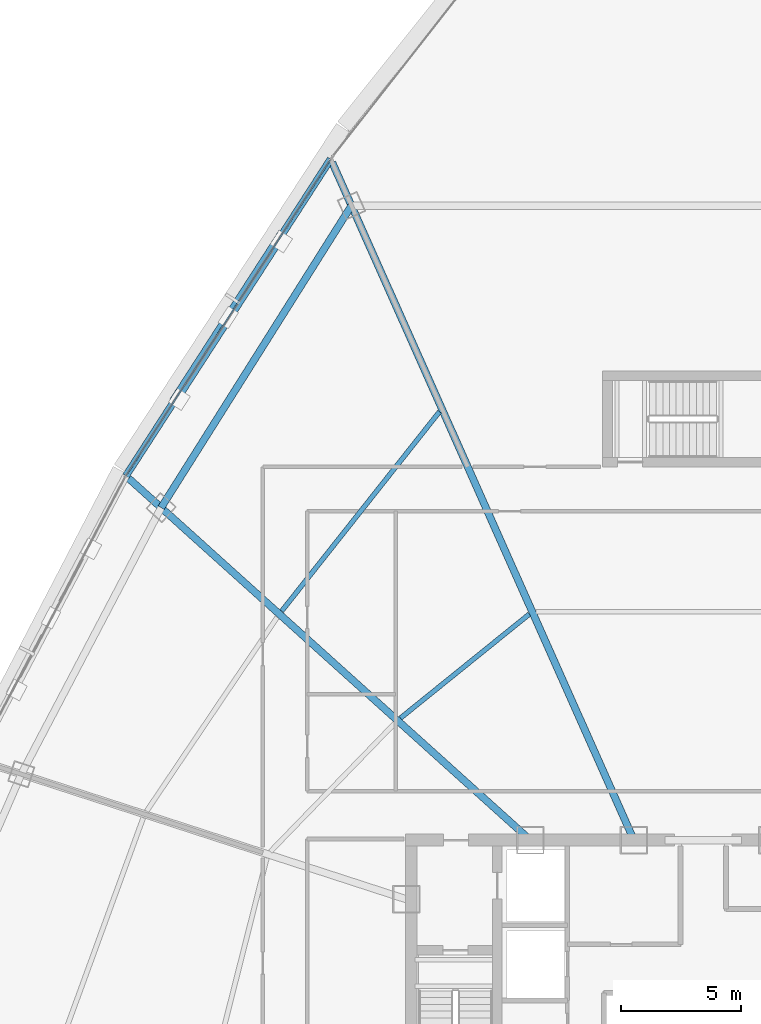
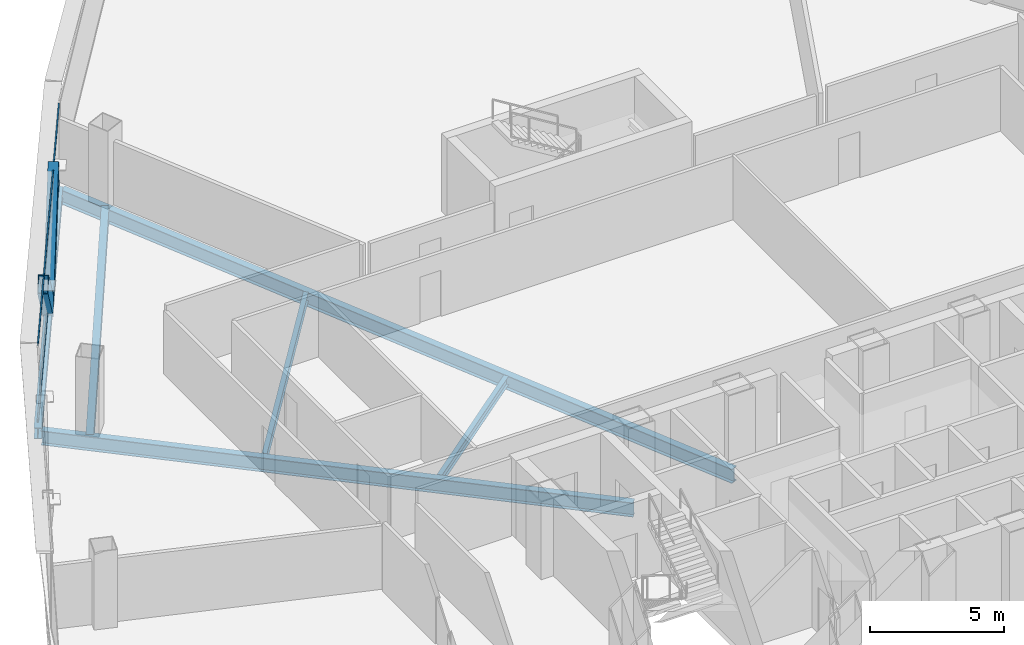
# One storey, part 17 of 37: 6 beams, 4 members, 1 element without a shape of its own.
"""IFC4 building model written with IfcOpenShell, lengths in metres."""

from ifc_helpers import new_model, si_unit, direction, frame, origin, origin_2d, place, context, subcontext, project, spatial, hollow_rectangle, i_section, extrude, source, transform, mapped, material, layer, layer_set, material_profile, profile_set, type_object, element, aggregate, save


model = new_model("IFC4")

# Units and contexts
model_context = context("Model", 3, precision=1e-05, world=origin(), true_north=direction((0.0, 1.0)))
body_context = subcontext(model_context, "Body", "Model", "MODEL_VIEW")
ifc_project = project(units=[si_unit("LENGTHUNIT", "METRE"), si_unit("AREAUNIT", "SQUARE_METRE"), si_unit("VOLUMEUNIT", "CUBIC_METRE"), si_unit("PLANEANGLEUNIT", "RADIAN"), si_unit("MASSUNIT", "GRAM", prefix="KILO"), si_unit("THERMODYNAMICTEMPERATUREUNIT", "KELVIN"), si_unit("POWERUNIT", "WATT")], contexts=[model_context])

# Site, building, storey
site_placement = place(None, origin())
site = spatial("IfcSite", under=ifc_project, at=site_placement, CompositionType="ELEMENT")
building_placement = place(site_placement, origin())
building = spatial("IfcBuilding", under=site, at=building_placement, Name="Yunzhuo Pagoda Commons", CompositionType="ELEMENT")
storey_placement = place(building_placement, frame((0.0, 0.0, 199.9599609375)))
storey = spatial("IfcBuildingStorey", under=building, at=storey_placement, Name="L50", CompositionType="ELEMENT", Elevation=199.9599609375)

# Beams
ifc_material_1 = material(Name="Structural steel Q355B", Category="steel")
ifc_material_profile_1 = material_profile(ifc_material_1, i_section(OverallWidth=0.300048828125, OverallDepth=0.64990234375, WebThickness=0.012939453125, FlangeThickness=0.02197265625, at=origin_2d()), Name="Structural steel Q355B")
ifc_profile_set_1 = profile_set([ifc_material_profile_1], Name="Structural steel Q355B")
beam_type_1 = type_object("IfcBeamType", Name="B-RG2 Beam HN 650x300x13x22", PredefinedType="BEAM", material=ifc_profile_set_1)
shared_shape_1 = source(origin(), body_context, "Body", "SweptSolid", [
    extrude(i_section(OverallWidth=0.300048828125, OverallDepth=0.64990234375, WebThickness=0.012939453125, FlangeThickness=0.02197265625, at=origin_2d()), origin(), (0.0, 0.0, 1.0), 14.916015625),
])
beam_1_placement = place(storey_placement, frame((33.301025390625, 66.714599609375, -0.5849609375), z_axis=(-0.533092374013, -0.846057043449, 0.0), x_axis=(0.846057043449, -0.533092374013, 0.0)))
element("IfcBeam", 1, at=beam_1_placement, inside=storey, type_object=beam_type_1, Name="L50 column-ring beam 9", PredefinedType="BEAM", context=body_context, shape_type="MappedRepresentation", body=[
    mapped(shared_shape_1, transform((0.0, 0.0, 0.0), scale=1.0)),
])
ifc_material_profile_2 = material_profile(ifc_material_1, i_section(OverallWidth=0.199951171875, OverallDepth=0.39990234375, WebThickness=0.008056640625, FlangeThickness=0.012939453125, at=origin_2d()), Name="Structural steel Q355B")
ifc_profile_set_2 = profile_set([ifc_material_profile_2], Name="Structural steel Q355B")
beam_type_2 = type_object("IfcBeamType", Name="B-JS1 Joist HN 400x200x8x13", PredefinedType="JOIST", material=ifc_profile_set_2)
shared_shape_2 = source(origin(), body_context, "Body", "SweptSolid", [
    extrude(i_section(OverallWidth=0.199951171875, OverallDepth=0.39990234375, WebThickness=0.008056640625, FlangeThickness=0.012939453125, at=origin_2d()), origin(), (0.0, 0.0, 1.0), 6.916748046875),
])
beam_2_placement = place(storey_placement, frame((40.732421875, 49.645263671875, -0.4599609375), z_axis=(-0.778265575865, -0.627935262127, 0.0), x_axis=(0.627935262127, -0.778265575865, 0.0)))
element("IfcBeam", 2, at=beam_2_placement, inside=storey, type_object=beam_type_2, Name="L50 composite ring joist 1.9", PredefinedType="JOIST", context=body_context, shape_type="MappedRepresentation", body=[
    mapped(shared_shape_2, transform((0.0, 0.0, 0.0), scale=1.0)),
])
shared_shape_3 = source(origin(), body_context, "Body", "SweptSolid", [
    extrude(i_section(OverallWidth=0.199951171875, OverallDepth=0.39990234375, WebThickness=0.008056640625, FlangeThickness=0.012939453125, at=origin_2d()), origin(), (0.0, 0.0, 1.0), 10.625732421875),
])
beam_3_placement = place(storey_placement, frame((36.980224609375, 58.105224609375, -0.4599609375), z_axis=(-0.620589944532, -0.784135269418, 0.0), x_axis=(0.784135269418, -0.620589944532, 0.0)))
element("IfcBeam", 3, at=beam_3_placement, inside=storey, type_object=beam_type_2, Name="L50 composite ring joist 2.9", PredefinedType="JOIST", context=body_context, shape_type="MappedRepresentation", body=[
    mapped(shared_shape_3, transform((0.0, 0.0, 0.0), scale=1.0)),
])
shared_shape_4 = source(origin(), body_context, "Body", "SweptSolid", [
    extrude(i_section(OverallWidth=0.300048828125, OverallDepth=0.64990234375, WebThickness=0.012939453125, FlangeThickness=0.02197265625, at=origin_2d()), origin(), (0.0, 0.0, 1.0), 22.59326171875),
])
beam_4_placement = place(storey_placement, frame((23.990966796875, 55.31787109375, -0.5849609375), z_axis=(0.743142605929, -0.669133071409, 0.0), x_axis=(0.669133071409, 0.743142605929, 0.0)))
element("IfcBeam", 4, at=beam_4_placement, inside=storey, type_object=beam_type_1, Name="L50 radial floor girder F3C2", PredefinedType="BEAM", context=body_context, shape_type="MappedRepresentation", body=[
    mapped(shared_shape_4, transform((0.0, 0.0, 0.0), scale=1.0)),
])
shared_shape_5 = source(origin(), body_context, "Body", "SweptSolid", [
    extrude(i_section(OverallWidth=0.300048828125, OverallDepth=0.64990234375, WebThickness=0.012939453125, FlangeThickness=0.02197265625, at=origin_2d()), origin(), (0.0, 0.0, 1.0), 30.999267578125),
])
beam_5_placement = place(storey_placement, frame((32.49755859375, 68.519287109375, -0.5849609375), z_axis=(0.406731735964, -0.913547642414, 0.0), x_axis=(0.913547642414, 0.406731735964, 0.0)))
element("IfcBeam", 5, at=beam_5_placement, inside=storey, type_object=beam_type_1, Name="L50 radial floor girder F3C1", PredefinedType="BEAM", context=body_context, shape_type="MappedRepresentation", body=[
    mapped(shared_shape_5, transform((0.0, 0.0, 0.0), scale=1.0)),
])
ifc_material_profile_3 = material_profile(ifc_material_1, i_section(OverallWidth=0.300048828125, OverallDepth=0.488037109375, WebThickness=0.010986328125, FlangeThickness=0.01806640625, at=origin_2d()), Name="Structural steel Q355B")
ifc_profile_set_3 = profile_set([ifc_material_profile_3], Name="Structural steel Q355B")
beam_type_3 = type_object("IfcBeamType", Name="B-SP1 Beam HM 488x300x11x18", PredefinedType="BEAM", material=ifc_profile_set_3)
shared_shape_6 = source(origin(), body_context, "Body", "SweptSolid", [
    extrude(i_section(OverallWidth=0.300048828125, OverallDepth=0.488037109375, WebThickness=0.010986328125, FlangeThickness=0.01806640625, at=origin_2d()), origin(), (0.0, 0.0, 1.0), 15.764892578125),
])
beam_6_placement = place(storey_placement, frame((32.4345703125, 68.660888671875, -0.50390625), z_axis=(-0.54290513086, -0.83979403361, 0.0), x_axis=(0.83979403361, -0.54290513086, 0.0)))
element("IfcBeam", 6, at=beam_6_placement, inside=storey, type_object=beam_type_3, Name="L50 facade edge spandrel beam F3.1", PredefinedType="BEAM", context=body_context, shape_type="MappedRepresentation", body=[
    mapped(shared_shape_6, transform((0.0, 0.0, 0.0), scale=1.0)),
])

# Members
ifc_material_profile_4 = material_profile(ifc_material_1, hollow_rectangle(XDim=0.39990234375, YDim=0.719970703125, WallThickness=0.02392578125, at=origin_2d()), Name="Structural steel Q355B")
ifc_profile_set_4 = profile_set([ifc_material_profile_4], Name="Structural steel Q355B")
member_type_1 = type_object("IfcMemberType", Name="M-DL2 Brace BOX 720x400x24", PredefinedType="BRACE", material=ifc_profile_set_4)
shared_shape_7 = source(origin(), body_context, "Body", "SweptSolid", [
    extrude(hollow_rectangle(XDim=0.39990234375, YDim=0.719970703125, WallThickness=0.02392578125, at=origin_2d()), origin(), (0.0, 0.0, 1.0), 5.474853515625),
])
for number, where, z_axis, x_axis, name in (
    (7, (28.155029296875, 62.041259765625, -0.260009765625), (0.390856056492, 0.604544844023, 0.694087224107), (-0.839772851494, 0.542937895061, 0.0), "L50 facade diamond brace F3.1L"),
    (8, (28.155029296875, 62.041259765625, -0.260009765625), (-0.390818275062, -0.604555380535, 0.694099321239), (0.839801094268, -0.542894208908, 0.0), "L50 facade diamond brace F3.1R"),
):
    element("IfcMember", number, at=place(storey_placement, frame(where, z_axis=z_axis, x_axis=x_axis)), inside=storey, type_object=member_type_1, Name=name, PredefinedType="BRACE", context=body_context, shape_type="MappedRepresentation", body=[
        mapped(shared_shape_7, transform((0.0, 0.0, 0.0), scale=1.0)),
    ])

# Curtain wall, members
ifc_material_2 = material(Name="Anodized aluminium 6063-T6", Category="aluminium")
ifc_layer = layer(ifc_material_2, 0.14990234375)
ifc_layer_set = layer_set([ifc_layer], Name="Anodized aluminium 6063-T6")
curtain_wall_type = type_object("IfcCurtainWallType", Name="CW-MID Mid-Zone Ribbon Curtain Wall", PredefinedType="NOTDEFINED", material=ifc_layer_set)
curtain_wall_placement = place(storey_placement, origin())
curtain_wall = element("IfcCurtainWall", 9, at=curtain_wall_placement, inside=storey, type_object=curtain_wall_type, Name="L50 curtain wall CW-L50-F3B2", PredefinedType="NOTDEFINED")
ifc_material_profile_5 = material_profile(ifc_material_2, hollow_rectangle(XDim=0.054931640625, YDim=0.1298828125, WallThickness=0.00341796875, at=origin_2d()), Name="Anodized aluminium 6063-T6")
ifc_profile_set_5 = profile_set([ifc_material_profile_5], Name="Anodized aluminium 6063-T6")
member_type_2 = type_object("IfcMemberType", Name="CW-MID-T Transom RHS 130x55x3.5", PredefinedType="USERDEFINED", material=ifc_profile_set_5)
shared_shape_8 = source(origin(), body_context, "Body", "SweptSolid", [
    extrude(hollow_rectangle(XDim=0.054931640625, YDim=0.1298828125, WallThickness=0.00341796875, at=origin_2d()), origin(), (0.0, 0.0, 1.0), 15.64501953125),
])
member_1_placement = place(storey_placement, frame((32.402099609375, 68.6103515625, 0.027587890625), z_axis=(-0.542916068365, -0.839786962694, 0.0), x_axis=(0.839786962694, -0.542916068365, 0.0)))
member_1 = element("IfcMember", 10, at=member_1_placement, type_object=member_type_2, Name="CW transom 1.1", ObjectType="TRANSOM", PredefinedType="USERDEFINED", context=body_context, shape_type="MappedRepresentation", body=[
    mapped(shared_shape_8, transform((0.0, 0.0, 0.0), scale=1.0)),
])
member_2_placement = place(storey_placement, frame((32.402099609375, 68.6103515625, 3.512451171875), z_axis=(-0.542916068365, -0.839786962694, 0.0), x_axis=(0.839786962694, -0.542916068365, 0.0)))
member_2 = element("IfcMember", 11, at=member_2_placement, type_object=member_type_2, Name="CW transom 1.2", ObjectType="TRANSOM", PredefinedType="USERDEFINED", context=body_context, shape_type="MappedRepresentation", body=[
    mapped(shared_shape_8, transform((0.0, 0.0, 0.0), scale=1.0)),
])
aggregate(curtain_wall, [member_1, member_2])

save(model, "model.ifc")
